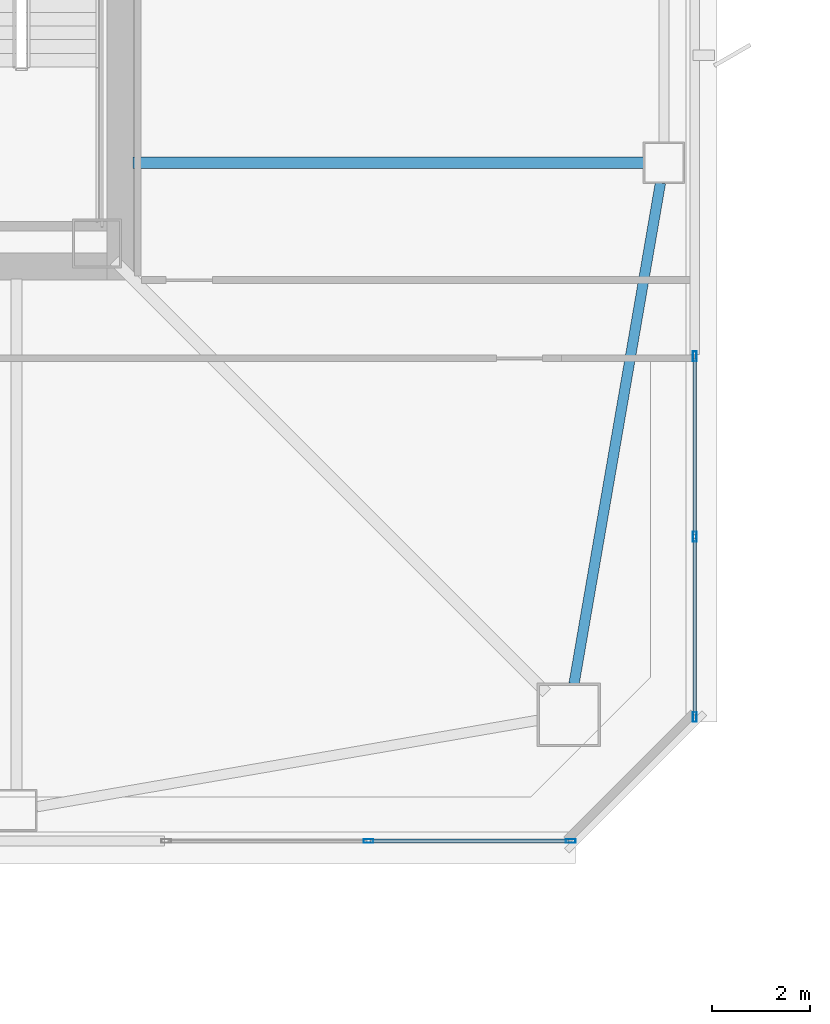
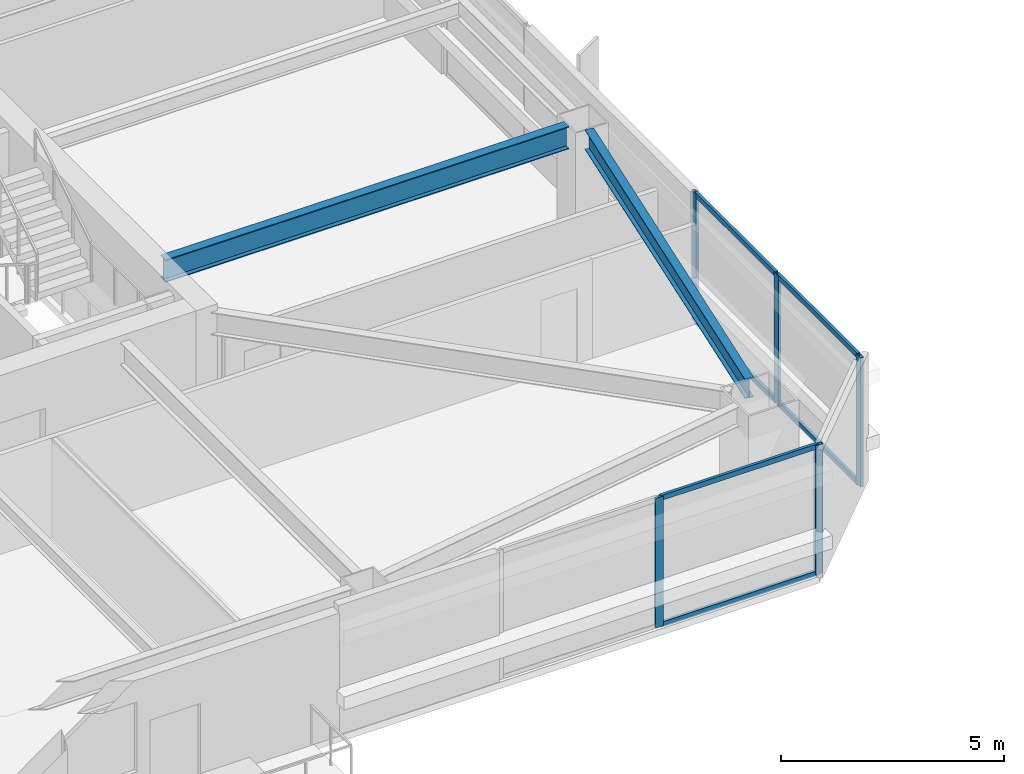
# One storey, part 10 of 48: 11 members, 2 beams, 2 elements without a shape of their own.
"""IFC4 building model written with IfcOpenShell, lengths in metres."""

import ifcopenshell
import ifcopenshell.guid

model = None  # the IFC model being written
_history = None  # IfcOwnerHistory: only IFC2X3 demands one
_inside = {}  # id of a spatial element -> (the spatial element, [elements in it])
_under = {}  # id of a project, library or spatial element -> (it, [spatial elements below it])
_declared = {}  # id of a project -> (the project, [libraries it declares])
_typed = {}  # id of a type object -> (the type object, [elements of that type])
_made_of = {}  # id of a material, layer set ... -> (it, [elements and type objects made of it])


def new_model(schema):
    """Start an empty IFC model of exactly this schema.

    Asked for "IFC4X3", IfcOpenShell would pick the latest addendum, in which some entities
    have other attributes; the version numbers below select the first issue.
    IFC2X3 requires an IfcOwnerHistory on every rooted entity: one is made here for all.
    """
    global model, _history
    if schema == "IFC4X3":
        model = ifcopenshell.file(schema_version=(4, 3, 0, 0))
    else:
        model = ifcopenshell.file(schema=schema)
    _inside.clear()
    _under.clear()
    _declared.clear()
    _typed.clear()
    _made_of.clear()
    _history = None
    if model.schema == "IFC2X3":
        org = make("IfcOrganization", Name="unknown")
        user = make(
            "IfcPersonAndOrganization",
            ThePerson=make("IfcPerson", FamilyName="unknown"),
            TheOrganization=org,
        )
        app = make(
            "IfcApplication",
            ApplicationDeveloper=org,
            Version="unknown",
            ApplicationFullName="unknown",
            ApplicationIdentifier="unknown",
        )
        _history = make(
            "IfcOwnerHistory",
            OwningUser=user,
            OwningApplication=app,
            ChangeAction="ADDED",
            CreationDate=0,
        )
    return model


def make(cls, **values):
    """One entity of the class cls with the attributes given. An attribute that is None is left unset."""
    return model.create_entity(
        cls, **{name: value for name, value in values.items() if value is not None}
    )


def rooted(cls, **values):
    """An entity with a GlobalId (a new one), such as an element, a storey or a relation."""
    return make(cls, GlobalId=ifcopenshell.guid.new(), OwnerHistory=_history, **values)


def si_unit(unit_type, name, prefix=None):
    """IfcSIUnit, for example si_unit("LENGTHUNIT", "METRE", prefix="MILLI")."""
    return make("IfcSIUnit", UnitType=unit_type, Prefix=prefix, Name=name)


def assignment(units):
    """IfcUnitAssignment: the units of a project."""
    return None if units is None else make("IfcUnitAssignment", Units=units)


def point(xyz):
    """IfcCartesianPoint."""
    return None if xyz is None else make("IfcCartesianPoint", Coordinates=xyz)


def direction(xyz):
    """IfcDirection."""
    return None if xyz is None else make("IfcDirection", DirectionRatios=xyz)


def frame(location, z_axis=None, x_axis=None):
    """IfcAxis2Placement3D, a coordinate frame: its origin and axes. An axis left out is left unset."""
    return make(
        "IfcAxis2Placement3D",
        Location=point(location),
        Axis=direction(z_axis),
        RefDirection=direction(x_axis),
    )


def frame_2d(location, x_axis=None):
    """IfcAxis2Placement2D, a coordinate frame in the plane: its origin and x axis."""
    return make(
        "IfcAxis2Placement2D", Location=point(location), RefDirection=direction(x_axis)
    )


def origin():
    """The frame at (0, 0, 0) with its axes left unset."""
    return frame((0.0, 0.0, 0.0))


def origin_2d():
    """The frame at (0, 0) in the plane with its x axis left unset."""
    return frame_2d((0.0, 0.0))


def place(relative_to, where):
    """IfcLocalPlacement: puts the frame where relative to a parent placement (None: the world)."""
    return make(
        "IfcLocalPlacement", PlacementRelTo=relative_to, RelativePlacement=where
    )


def context(
    kind, dimensions, precision=None, world=None, true_north=None, identifier=None
):
    """IfcGeometricRepresentationContext, for example the 3D "Model" context."""
    return make(
        "IfcGeometricRepresentationContext",
        ContextIdentifier=identifier,
        ContextType=kind,
        CoordinateSpaceDimension=dimensions,
        Precision=precision,
        WorldCoordinateSystem=world,
        TrueNorth=true_north,
    )


def subcontext(parent, identifier, kind, view, scale=None):
    """IfcGeometricRepresentationSubContext, for example "Body" below "Model"."""
    return make(
        "IfcGeometricRepresentationSubContext",
        ContextIdentifier=identifier,
        ContextType=kind,
        ParentContext=parent,
        TargetScale=scale,
        TargetView=view,
    )


def project(units=None, contexts=None):
    """IfcProject with its units and contexts."""
    return rooted(
        "IfcProject",
        Name="project",
        RepresentationContexts=contexts,
        UnitsInContext=assignment(units),
    )


def spatial(cls, under=None, at=None, **own):
    """A site, building, storey or space (cls), placed at a placement, below another one or the project."""
    s = rooted(cls, ObjectPlacement=at, **own)
    if under is not None:
        _under.setdefault(under.id(), (under, []))[1].append(s)
    return s


def profile(cls, at=None, kind="AREA", **sizes):
    """A parametric profile (cls). Its sizes go by their IFC names, for example OverallWidth=200.0."""
    return make(cls, ProfileType=kind, Position=at, **sizes)


def hollow_rectangle(**sizes):
    """IfcRectangleHollowProfileDef."""
    return profile("IfcRectangleHollowProfileDef", **sizes)


def i_section(**sizes):
    """IfcIShapeProfileDef."""
    return profile("IfcIShapeProfileDef", **sizes)


def extrude(swept, where, along, depth):
    """IfcExtrudedAreaSolid: the profile swept, set in the frame where, extruded along a direction by depth."""
    return make(
        "IfcExtrudedAreaSolid",
        SweptArea=swept,
        Position=where,
        ExtrudedDirection=direction(along),
        Depth=depth,
    )


def shape(context_of_items, identifier, shape_type, items):
    """IfcShapeRepresentation: the items that make up one representation, for example the "Body"."""
    return make(
        "IfcShapeRepresentation",
        ContextOfItems=context_of_items,
        RepresentationIdentifier=identifier,
        RepresentationType=shape_type,
        Items=items,
    )


def material(Name=None, Category=None):
    """IfcMaterial."""
    return make("IfcMaterial", Name=Name, Category=Category)


def material_profile(
    of_material, cross_section, Name=None, Category=None, Priority=None
):
    """IfcMaterialProfile: a cross section and its material."""
    return make(
        "IfcMaterialProfile",
        Name=Name,
        Material=of_material,
        Profile=cross_section,
        Priority=Priority,
        Category=Category,
    )


def profile_set(profiles, Name=None, composite=None):
    """IfcMaterialProfileSet."""
    return make(
        "IfcMaterialProfileSet",
        Name=Name,
        MaterialProfiles=profiles,
        CompositeProfile=composite,
    )


def made_of(thing, what):
    """Note that an element or type object is made of a material, layer set ...; save() writes the relation."""
    if what is not None:
        _made_of.setdefault(what.id(), (what, []))[1].append(thing)
    return thing


def type_object(cls, material=None, **own):
    """A type object (cls), such as IfcWallType, which elements share."""
    return made_of(rooted(cls, **own), material)


def element(
    cls,
    number,
    at=None,
    inside=None,
    cuts=None,
    type_object=None,
    material=None,
    context=None,
    identifier="Body",
    shape_type=None,
    held_by="IfcProductDefinitionShape",
    body=None,
    shapes=None,
    **own,
):
    """One element of the class cls, such as IfcWall. Its Tag is "e" and its number.

    at: its placement. inside: the storey or other place that contains it. cuts: it is an
    opening in that element (IfcRelVoidsElement). A single representation is given by context,
    identifier, shape_type and body (its items); several are given by shapes. held_by: the class
    of the entity that holds the representations. save() writes the other relations.
    """
    e = rooted(cls, Tag="e%d" % number, ObjectPlacement=at, **own)
    if body is not None:
        shapes = [shape(context, identifier, shape_type, body)]
    if shapes is not None:
        e.Representation = make(held_by, Representations=shapes)
    if inside is not None:
        _inside.setdefault(inside.id(), (inside, []))[1].append(e)
    if cuts is not None:
        rooted(
            "IfcRelVoidsElement", RelatingBuildingElement=cuts, RelatedOpeningElement=e
        )
    if type_object is not None:
        _typed.setdefault(type_object.id(), (type_object, []))[1].append(e)
    return made_of(e, material)


def aggregate(whole, parts):
    """IfcRelAggregates: a whole, such as a stair, and the parts it consists of."""
    return rooted("IfcRelAggregates", RelatingObject=whole, RelatedObjects=parts)


def save(model, path):
    """Write the relations noted so far, then the file.

    IfcRelAggregates (storeys below a building ...), IfcRelContainedInSpatialStructure (elements
    in a storey), IfcRelDefinesByType, IfcRelAssociatesMaterial and IfcRelDeclares: one each for
    every whole, place, type object, material and project.
    """
    for whole, parts in _under.values():
        aggregate(whole, parts)
    for where, things in _inside.values():
        rooted(
            "IfcRelContainedInSpatialStructure",
            RelatedElements=things,
            RelatingStructure=where,
        )
    for kind, things in _typed.values():
        rooted("IfcRelDefinesByType", RelatedObjects=things, RelatingType=kind)
    for what, things in _made_of.values():
        rooted("IfcRelAssociatesMaterial", RelatedObjects=things, RelatingMaterial=what)
    for by, libraries in _declared.values():
        rooted("IfcRelDeclares", RelatingContext=by, RelatedDefinitions=libraries)
    model.write(path)


model = new_model("IFC4")

# Units and contexts
model_context = context("Model", 3, precision=1e-05, world=origin(), true_north=direction((0.0, 1.0)))
body_context = subcontext(model_context, "Body", "Model", "MODEL_VIEW")
ifc_project = project(units=[si_unit("LENGTHUNIT", "METRE"), si_unit("AREAUNIT", "SQUARE_METRE"), si_unit("VOLUMEUNIT", "CUBIC_METRE"), si_unit("PLANEANGLEUNIT", "RADIAN"), si_unit("MASSUNIT", "GRAM", prefix="KILO")], contexts=[model_context])

# Site, building, storey
site_placement = place(None, origin())
site = spatial("IfcSite", under=ifc_project, at=site_placement, CompositionType="ELEMENT")
building_placement = place(site_placement, origin())
building = spatial("IfcBuilding", under=site, at=building_placement, Name="Tashvorn Skyway Center", CompositionType="ELEMENT")
storey_placement = place(building_placement, frame((0.0, 0.0, 125.050048828125)))
storey = spatial("IfcBuildingStorey", under=building, at=storey_placement, Name="L33", CompositionType="ELEMENT", Elevation=125.050048828125)

# Beams
ifc_material_1 = material(Name="Steel ASTM A992 Grade 50", Category="steel")
ifc_material_profile_1 = material_profile(ifc_material_1, i_section(OverallWidth=0.22998046875, OverallDepth=0.616943359375, WebThickness=0.01318359375, FlangeThickness=0.022216796875, at=origin_2d()), Name="W24X94")
ifc_profile_set_1 = profile_set([ifc_material_profile_1], Name="Steel ASTM A992 Grade 50")
beam_type_1 = type_object("IfcBeamType", Name="BM-BEAM-W24X94", PredefinedType="BEAM", material=ifc_profile_set_1)
beam_1_placement = place(storey_placement, frame((60.22998046875, 26.60009765625, 3.0615234375), z_axis=(-1.0, 0.0, 0.0), x_axis=(0.0, -1.0, 0.0)))
element("IfcBeam", 1, at=beam_1_placement, inside=storey, type_object=beam_type_1, Name="Tower 1 L33 Primary Floor Girder FC-E1", PredefinedType="BEAM", context=body_context, shape_type="SweptSolid", body=[
    extrude(i_section(OverallWidth=0.22998046875, OverallDepth=0.616943359375, WebThickness=0.01318359375, FlangeThickness=0.022216796875, at=origin_2d()), origin(), (0.0, 0.0, 1.0), 10.449951171875),
])
ifc_material_profile_2 = material_profile(ifc_material_1, i_section(OverallWidth=0.2109375, OverallDepth=0.5390625, WebThickness=0.01171875, FlangeThickness=0.018798828125, at=origin_2d()), Name="W21X73")
ifc_profile_set_2 = profile_set([ifc_material_profile_2], Name="Steel ASTM A992 Grade 50")
beam_type_2 = type_object("IfcBeamType", Name="BM-SPANDREL-W21X73", PredefinedType="SPANDREL", material=ifc_profile_set_2)
beam_2_placement = place(storey_placement, frame((58.8095703125, 15.935546875, 3.100341796875), z_axis=(0.170067250846, 0.985432458462, 0.0), x_axis=(-0.985432458462, 0.170067250846, 0.0)))
element("IfcBeam", 2, at=beam_2_placement, inside=storey, type_object=beam_type_2, Name="Tower 1 L33 Spandrel Beam 04", PredefinedType="SPANDREL", context=body_context, shape_type="SweptSolid", body=[
    extrude(i_section(OverallWidth=0.2109375, OverallDepth=0.5390625, WebThickness=0.01171875, FlangeThickness=0.018798828125, at=origin_2d()), origin(), (0.0, 0.0, 1.0), 10.402099609375),
])

# Curtain wall, members
ifc_material_2 = material(Name="Thermally broken bronze-anodized aluminium 6063-T6", Category="aluminium")
curtain_wall_type = type_object("IfcCurtainWallType", Name="CW-CW-Z3", PredefinedType="NOTDEFINED", material=ifc_material_2)
curtain_wall_1_placement = place(storey_placement, origin())
curtain_wall_1 = element("IfcCurtainWall", 3, at=curtain_wall_1_placement, inside=storey, type_object=curtain_wall_type, Name="Tower 1 L33 South Curtain Wall L Glazing Group 1", PredefinedType="NOTDEFINED")
ifc_material_profile_3 = material_profile(ifc_material_2, hollow_rectangle(XDim=0.074951171875, YDim=0.199951171875, WallThickness=0.00439453125, at=origin_2d()), Name="ALU-MULL-75x200")
ifc_profile_set_3 = profile_set([ifc_material_profile_3], Name="Thermally broken bronze-anodized aluminium 6063-T6")
member_type_1 = type_object("IfcMemberType", Name="CWM-CW-Z3", PredefinedType="MULLION", material=ifc_profile_set_3)
member_1_placement = place(storey_placement, frame((58.742431640625, 12.719970703125, 0.0), z_axis=(0.0, 0.0, 1.0), x_axis=(0.0, -1.0, 0.0)))
member_1 = element("IfcMember", 4, at=member_1_placement, type_object=member_type_1, Name="CW-Z3 mullion 1", PredefinedType="MULLION", context=body_context, shape_type="SweptSolid", body=[
    extrude(hollow_rectangle(XDim=0.074951171875, YDim=0.199951171875, WallThickness=0.00439453125, at=origin_2d()), origin(), (0.0, 0.0, 1.0), 3.550048828125),
])
member_2_placement = place(storey_placement, frame((54.603271484375, 12.719970703125, 0.0), z_axis=(0.0, 0.0, 1.0), x_axis=(0.0, -1.0, 0.0)))
member_2 = element("IfcMember", 5, at=member_2_placement, type_object=member_type_1, Name="CW-Z3 mullion 2", PredefinedType="MULLION", context=body_context, shape_type="SweptSolid", body=[
    extrude(hollow_rectangle(XDim=0.074951171875, YDim=0.199951171875, WallThickness=0.00439453125, at=origin_2d()), origin(), (0.0, 0.0, 1.0), 3.550048828125),
])

curtain_wall_2_placement = place(storey_placement, origin())
curtain_wall_2 = element("IfcCurtainWall", 6, at=curtain_wall_2_placement, inside=storey, type_object=curtain_wall_type, Name="Tower 1 L33 East Unitised Curtain Wall Glazing Group 3", PredefinedType="NOTDEFINED")
member_3_placement = place(storey_placement, frame((61.280029296875, 22.640380859375, 0.0), z_axis=(0.0, 0.0, 1.0), x_axis=(1.0, 0.0, 0.0)))
member_3 = element("IfcMember", 7, at=member_3_placement, type_object=member_type_1, Name="CW-Z3 mullion 1", PredefinedType="MULLION", context=body_context, shape_type="SweptSolid", body=[
    extrude(hollow_rectangle(XDim=0.074951171875, YDim=0.199951171875, WallThickness=0.00439453125, at=origin_2d()), origin(), (0.0, 0.0, 1.0), 3.550048828125),
])
member_4_placement = place(storey_placement, frame((61.280029296875, 18.948974609375, 0.0), z_axis=(0.0, 0.0, 1.0), x_axis=(1.0, 0.0, 0.0)))
member_4 = element("IfcMember", 8, at=member_4_placement, type_object=member_type_1, Name="CW-Z3 mullion 2", PredefinedType="MULLION", context=body_context, shape_type="SweptSolid", body=[
    extrude(hollow_rectangle(XDim=0.074951171875, YDim=0.199951171875, WallThickness=0.00439453125, at=origin_2d()), origin(), (0.0, 0.0, 1.0), 3.550048828125),
])
member_5_placement = place(storey_placement, frame((61.280029296875, 15.257568359375, 0.0), z_axis=(0.0, 0.0, 1.0), x_axis=(1.0, 0.0, 0.0)))
member_5 = element("IfcMember", 9, at=member_5_placement, type_object=member_type_1, Name="CW-Z3 mullion 3", PredefinedType="MULLION", context=body_context, shape_type="SweptSolid", body=[
    extrude(hollow_rectangle(XDim=0.074951171875, YDim=0.199951171875, WallThickness=0.00439453125, at=origin_2d()), origin(), (0.0, 0.0, 1.0), 3.550048828125),
])

# Member
ifc_material_profile_4 = material_profile(ifc_material_2, hollow_rectangle(XDim=0.074951171875, YDim=0.139892578125, WallThickness=0.004150390625, at=origin_2d()), Name="ALU-TRAN-75x140")
ifc_profile_set_4 = profile_set([ifc_material_profile_4], Name="Thermally broken bronze-anodized aluminium 6063-T6")
member_type_2 = type_object("IfcMemberType", Name="CWT-CW-Z3", PredefinedType="USERDEFINED", material=ifc_profile_set_4)
member_6_placement = place(storey_placement, frame((58.705078125, 12.719970703125, 0.037353515625), z_axis=(-1.0, 0.0, 0.0), x_axis=(0.0, -1.0, 0.0)))
member_6 = element("IfcMember", 10, at=member_6_placement, type_object=member_type_2, Name="CW-Z3 transom 1.1", ObjectType="TRANSOM", PredefinedType="USERDEFINED", context=body_context, shape_type="SweptSolid", body=[
    extrude(hollow_rectangle(XDim=0.074951171875, YDim=0.139892578125, WallThickness=0.004150390625, at=origin_2d()), origin(), (0.0, 0.0, 1.0), 4.064208984375),
])

member_7_placement = place(storey_placement, frame((58.705078125, 12.719970703125, 3.512451171875), z_axis=(-1.0, 0.0, 0.0), x_axis=(0.0, -1.0, 0.0)))
member_7 = element("IfcMember", 11, at=member_7_placement, type_object=member_type_2, Name="CW-Z3 transom 1.2", ObjectType="TRANSOM", PredefinedType="USERDEFINED", context=body_context, shape_type="SweptSolid", body=[
    extrude(hollow_rectangle(XDim=0.074951171875, YDim=0.139892578125, WallThickness=0.004150390625, at=origin_2d()), origin(), (0.0, 0.0, 1.0), 4.064208984375),
])

aggregate(curtain_wall_1, [member_1, member_2, member_6, member_7])

member_8_placement = place(storey_placement, frame((61.280029296875, 22.602783203125, 0.037353515625), z_axis=(0.0, -1.0, 0.0), x_axis=(1.0, 0.0, 0.0)))
member_8 = element("IfcMember", 12, at=member_8_placement, type_object=member_type_2, Name="CW-Z3 transom 1.1", ObjectType="TRANSOM", PredefinedType="USERDEFINED", context=body_context, shape_type="SweptSolid", body=[
    extrude(hollow_rectangle(XDim=0.074951171875, YDim=0.139892578125, WallThickness=0.004150390625, at=origin_2d()), origin(), (0.0, 0.0, 1.0), 3.616455078125),
])

member_9_placement = place(storey_placement, frame((61.280029296875, 22.602783203125, 3.512451171875), z_axis=(0.0, -1.0, 0.0), x_axis=(1.0, 0.0, 0.0)))
member_9 = element("IfcMember", 13, at=member_9_placement, type_object=member_type_2, Name="CW-Z3 transom 1.2", ObjectType="TRANSOM", PredefinedType="USERDEFINED", context=body_context, shape_type="SweptSolid", body=[
    extrude(hollow_rectangle(XDim=0.074951171875, YDim=0.139892578125, WallThickness=0.004150390625, at=origin_2d()), origin(), (0.0, 0.0, 1.0), 3.616455078125),
])

member_10_placement = place(storey_placement, frame((61.280029296875, 18.911376953125, 0.037353515625), z_axis=(0.0, -1.0, 0.0), x_axis=(1.0, 0.0, 0.0)))
member_10 = element("IfcMember", 14, at=member_10_placement, type_object=member_type_2, Name="CW-Z3 transom 2.1", ObjectType="TRANSOM", PredefinedType="USERDEFINED", context=body_context, shape_type="SweptSolid", body=[
    extrude(hollow_rectangle(XDim=0.074951171875, YDim=0.139892578125, WallThickness=0.004150390625, at=origin_2d()), origin(), (0.0, 0.0, 1.0), 3.616455078125),
])

member_11_placement = place(storey_placement, frame((61.280029296875, 18.911376953125, 3.512451171875), z_axis=(0.0, -1.0, 0.0), x_axis=(1.0, 0.0, 0.0)))
member_11 = element("IfcMember", 15, at=member_11_placement, type_object=member_type_2, Name="CW-Z3 transom 2.2", ObjectType="TRANSOM", PredefinedType="USERDEFINED", context=body_context, shape_type="SweptSolid", body=[
    extrude(hollow_rectangle(XDim=0.074951171875, YDim=0.139892578125, WallThickness=0.004150390625, at=origin_2d()), origin(), (0.0, 0.0, 1.0), 3.616455078125),
])

aggregate(curtain_wall_2, [member_3, member_4, member_5, member_8, member_9, member_10, member_11])

save(model, "model.ifc")
